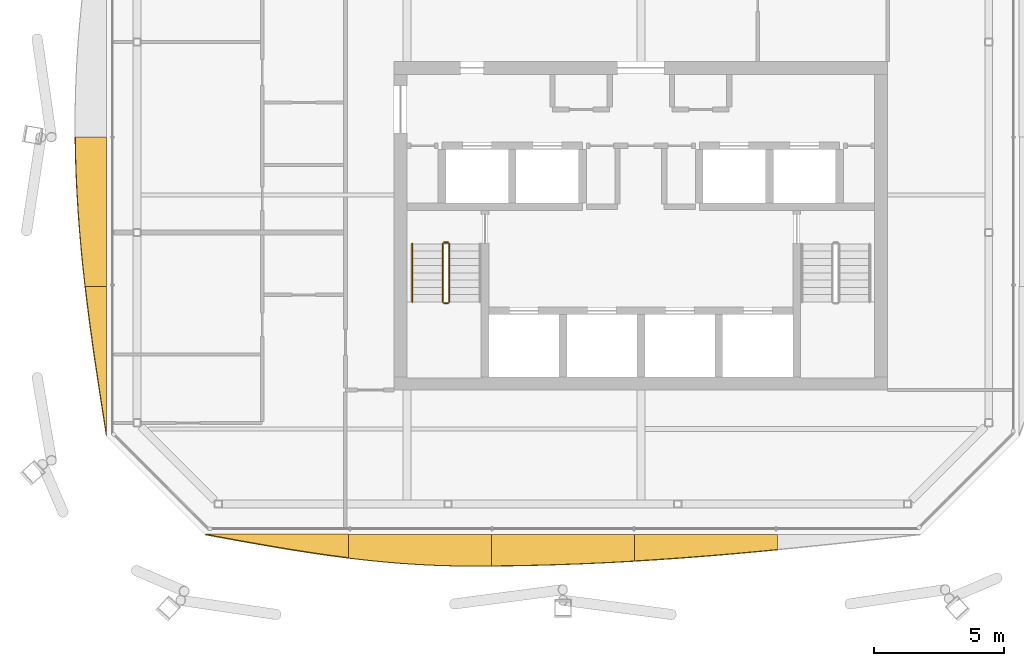
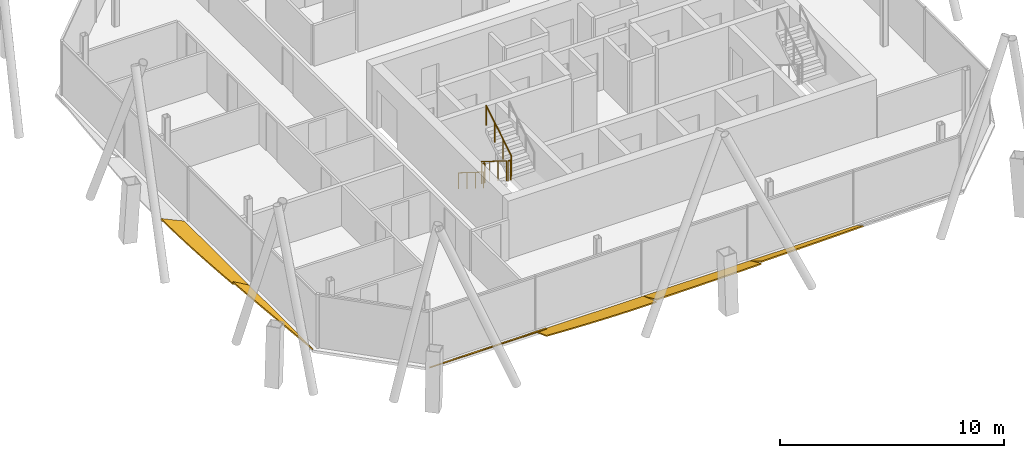
# One storey, part 13 of 16: 6 shading devices, 5 railings.
"""IFC4 building model written with IfcOpenShell, lengths in metres."""

from ifc_helpers import new_model, si_unit, direction, frame, origin, origin_2d, place, context, subcontext, project, spatial, polyline, circle, outline, extrude, material, layer, layer_set, type_object, element, save


model = new_model("IFC4")

# Units and contexts
model_context = context("Model", 3, precision=1e-05, world=origin(), true_north=direction((0.0, 1.0)))
body_context = subcontext(model_context, "Body", "Model", "MODEL_VIEW")
ifc_project = project(units=[si_unit("LENGTHUNIT", "METRE"), si_unit("AREAUNIT", "SQUARE_METRE"), si_unit("VOLUMEUNIT", "CUBIC_METRE"), si_unit("PLANEANGLEUNIT", "RADIAN"), si_unit("MASSUNIT", "GRAM", prefix="KILO")], contexts=[model_context])

# Site, building, storey
site_placement = place(None, origin())
site = spatial("IfcSite", under=ifc_project, at=site_placement, CompositionType="ELEMENT")
building_placement = place(site_placement, origin())
building = spatial("IfcBuilding", under=site, at=building_placement, Name="Tskaro Facet Tower", CompositionType="ELEMENT")
storey_placement = place(building_placement, frame((0.0, 0.0, 245.550048828125)))
storey = spatial("IfcBuildingStorey", under=building, at=storey_placement, Name="L64", CompositionType="ELEMENT", Elevation=245.550048828125)

# Shading devices
ifc_material_1 = material(Name="Bronze anodised aluminium 6063-T6", Category="aluminium")
ifc_layer = layer(ifc_material_1, 0.06005859375, Name="Bronze anodised aluminium 6063-T6")
ifc_layer_set = layer_set([ifc_layer], Name="Bronze anodised aluminium 6063-T6")
shading_device_type = type_object("IfcShadingDeviceType", Name="Bronze sun blade (FN1)", PredefinedType="USERDEFINED", material=ifc_layer_set)
shading_device_1_placement = place(storey_placement, frame((-16.764892578125, -17.552490234375, 0.0458984375), z_axis=(-3.651578e-06, 0.642787732435, 0.766044340112), x_axis=(0.999999999993, 2.347189e-06, 2.79727e-06)))
element("IfcShadingDevice", 1, at=shading_device_1_placement, inside=storey, type_object=shading_device_type, Name="Fin blade south 1", ObjectType="FIN", PredefinedType="USERDEFINED", context=body_context, shape_type="SweptSolid", body=[
    extrude(outline(polyline([(0.0, 0.0), (5.5058593749632925, 1.1659110733934925e-21), (5.505859375016392, -1.1747514389908755), (4.817626953221488, -1.0581234940832223), (4.129394531458474, -0.9297108664875922), (3.441162109483957, -0.790732438176101), (2.7529296873841878, -0.6434389505490066), (2.064697265488818, -0.4888622630344508), (1.3764648437742175, -0.3289091638899776), (0.6882324215338306, -0.16532951077439065), (0.0, 0.0)])), origin(), (0.0, 0.0, -1.0), 0.06005859375),
])
shading_device_2_placement = place(storey_placement, frame((-11.259033203125, -17.570556640625, 0.056396484375), z_axis=(6.341691e-06, 0.342025564427, 0.939690647627), x_axis=(0.99999999998, -2.169021e-06, -5.959228e-06)))
element("IfcShadingDevice", 2, at=shading_device_2_placement, inside=storey, type_object=shading_device_type, Name="Fin blade south 2", ObjectType="FIN", PredefinedType="USERDEFINED", context=body_context, shape_type="SweptSolid", body=[
    extrude(outline(polyline([(0.0, 0.0), (5.506103515514281, 0.0), (5.5061035155800875, -1.2834555088438027), (4.817871093194829, -1.2860836848043), (4.790283202570383, -1.2860836848043), (4.129638671189024, -1.2795967472381236), (3.4411621090605315, -1.259051263221368), (2.752929688059342, -1.2244472327540337), (2.064697266239318, -1.176639910492323), (1.3764648436004598, -1.1156292964362367), (0.6882324222609519, -1.0423330572338658), (-5.552364992012793e-10, -0.9576899498764805), (0.0, 0.0)])), origin(), (0.0, 0.0, -1.0), 0.06005859375),
])
shading_device_3_placement = place(storey_placement, frame((-5.7529296875, -17.565673828125, 0.054443359375), z_axis=(-3.820645e-06, 0.422540323583, 0.906344126109), x_axis=(0.999999999993, 1.614376e-06, 3.462819e-06)))
element("IfcShadingDevice", 3, at=shading_device_3_placement, inside=storey, type_object=shading_device_type, Name="Fin blade south 3", ObjectType="FIN", PredefinedType="USERDEFINED", context=body_context, shape_type="SweptSolid", body=[
    extrude(outline(polyline([(0.0, 0.0), (5.505859374959815, 1.1659110733934925e-21), (5.505859375075127, -1.1248972364940766), (4.817626953492532, -1.1674925382205397), (4.129394531452778, -1.2057221591348608), (3.4411621088987183, -1.239040389135522), (2.752929687915318, -1.2674322713184842), (2.0646972651780624, -1.2910308787505138), (1.3764648435601865, -1.3093787036847417), (0.6882324218221404, -1.3225938622838949), (-3.607605396023278e-11, -1.3306763545479734), (0.0, 0.0)])), origin(), (0.0, 0.0, -1.0), 0.06005859375),
])
shading_device_4_placement = place(storey_placement, frame((-0.2470703125, -17.56103515625, 0.052001953125), z_axis=(6.07884e-07, 0.499950569913, 0.866053940377), x_axis=(1.0, -3.03912e-07, -5.26461e-07)))
element("IfcShadingDevice", 4, at=shading_device_4_placement, inside=storey, type_object=shading_device_type, Name="Fin blade south 4", ObjectType="FIN", PredefinedType="USERDEFINED", context=body_context, shape_type="SweptSolid", body=[
    extrude(outline(polyline([(0.0, 0.0), (5.506103515623983, 0.0), (5.506103515558407, -0.6712662269701115), (4.8178710937747224, -0.7467288353167458), (4.129638671946052, -0.8191332657425715), (3.4414062499981957, -0.888268079297301), (2.7531738281338827, -0.9542226566866141), (2.0649414061848534, -1.0160291838647533), (1.3764648438030331, -1.0739884804876858), (0.6882324218329662, -1.1279217851440517), (-3.8953015131984984e-11, -1.177251484149741), (0.0, 0.0)])), origin(), (0.0, 0.0, -1.0), 0.06005859375),
])
shading_device_5_placement = place(storey_placement, frame((-20.565673828125, -2.271484375, 0.054443359375), z_axis=(0.42254672372, 5.47784e-07, 0.906341142326), x_axis=(2.31464e-07, -1.0, 4.9648e-07)))
element("IfcShadingDevice", 5, at=shading_device_5_placement, inside=storey, type_object=shading_device_type, Name="Fin blade west 3", ObjectType="FIN", PredefinedType="USERDEFINED", context=body_context, shape_type="SweptSolid", body=[
    extrude(outline(polyline([(0.0, 0.0), (5.7468261718741385, 0.0), (5.7468261718662115, -0.9083070755889664), (5.028320312428439, -0.9957986348022951), (4.3100585936623315, -1.0744407168299377), (3.591796874991207, -1.1434663367718212), (2.8732910156688543, -1.2027723338067244), (2.155029296928891, -1.2512672875204036), (1.436767578146318, -1.288951197912858), (0.7182617188091549, -1.3153815155981867), (-1.851073773410969e-11, -1.330130644240997), (0.0, 0.0)])), origin(), (0.0, 0.0, -1.0), 0.06005859375),
])
shading_device_6_placement = place(storey_placement, frame((-20.56103515625, -8.018310546875, 0.052001953125), z_axis=(0.49991498337, -2.3229446e-05, 0.866074482284), x_axis=(-1.1612748e-05, -0.99999999973, -2.0118431e-05)))
element("IfcShadingDevice", 6, at=shading_device_6_placement, inside=storey, type_object=shading_device_type, Name="Fin blade west 4", ObjectType="FIN", PredefinedType="USERDEFINED", context=body_context, shape_type="SweptSolid", body=[
    extrude(outline(polyline([(0.0, 0.0), (5.746582029699552, 9.735088629136583e-21), (5.02832031238393, -0.13048578759795765), (4.310058593551188, -0.2598817002210426), (3.5915527359709922, -0.3869758133378627), (2.873291014464366, -0.5108003015300647), (2.155029296712703, -0.6300211907097368), (1.436523435662223, -0.7436706554585261), (0.7182617167159583, -0.8510817087324763), (-3.0267077219577466e-09, -0.9506195380692787), (0.0, 0.0)])), origin(), (0.0, 0.0, -1.0), 0.06005859375),
])

# Railings
ifc_material_2 = material(Name="Stainless steel", Category="steel")
railing_type_1 = type_object("IfcRailingType", Name="RL-GUARD-1100", PredefinedType="GUARDRAIL", material=ifc_material_2)
railing_1_placement = place(storey_placement, frame((-7.625, -6.375, 0.175048828125)))
element("IfcRailing", 7, at=railing_1_placement, inside=storey, type_object=railing_type_1, Name="L64 ST-1 stair guard 1", PredefinedType="GUARDRAIL", context=body_context, shape_type="SweptSolid", body=[
    extrude(circle(Radius=0.02392578125, at=origin_2d()), frame((0.0, 0.0, 1.076171875), z_axis=(0.0, -0.848013881152, 0.529974015752), x_axis=(1.0, 0.0, 0.0)), (0.0, 0.0, 1.0), 2.641357421875),
    extrude(circle(Radius=0.02099609375, at=origin_2d()), origin(), (0.0, 0.0, 1.0), 1.052001953125),
    extrude(circle(Radius=0.02099609375, at=origin_2d()), frame((0.0, -0.74658203125, 0.466552734375)), (0.0, 0.0, 1.0), 1.052001953125),
    extrude(circle(Radius=0.02099609375, at=origin_2d()), frame((0.0, -1.493408203125, 0.933349609375)), (0.0, 0.0, 1.0), 1.052001953125),
    extrude(circle(Radius=0.02099609375, at=origin_2d()), frame((0.0, -2.239990234375, 1.39990234375)), (0.0, 0.0, 1.0), 1.052001953125),
])
railing_2_placement = place(storey_placement, frame((-7.574951171875, -8.6650390625, 1.574951171875)))
element("IfcRailing", 8, at=railing_2_placement, inside=storey, type_object=railing_type_1, Name="L64 ST-1 stair guard 2", PredefinedType="GUARDRAIL", context=body_context, shape_type="SweptSolid", body=[
    extrude(circle(Radius=0.02392578125, at=origin_2d()), frame((0.0, 0.0, 1.076171875), z_axis=(1.0, 0.0, 0.0), x_axis=(0.0, 1.0, 0.0)), (0.0, 0.0, 1.0), 0.14990234375),
    extrude(circle(Radius=0.02099609375, at=origin_2d()), origin(), (0.0, 0.0, 1.0), 1.052001953125),
    extrude(circle(Radius=0.02099609375, at=origin_2d()), frame((0.14990234375, 0.0, 0.0)), (0.0, 0.0, 1.0), 1.052001953125),
])
railing_3_placement = place(storey_placement, frame((-7.375, -8.614990234375, 1.75)))
element("IfcRailing", 9, at=railing_3_placement, inside=storey, type_object=railing_type_1, Name="L64 ST-1 stair guard 3", PredefinedType="GUARDRAIL", context=body_context, shape_type="SweptSolid", body=[
    extrude(circle(Radius=0.02392578125, at=origin_2d()), frame((0.0, 0.0, 1.076171875), z_axis=(0.0, 0.848013881152, 0.529974015752), x_axis=(-1.0, 0.0, 0.0)), (0.0, 0.0, 1.0), 2.641357421875),
    extrude(circle(Radius=0.02099609375, at=origin_2d()), origin(), (0.0, 0.0, 1.0), 1.052001953125),
    extrude(circle(Radius=0.02099609375, at=origin_2d()), frame((0.0, 0.74658203125, 0.466552734375)), (0.0, 0.0, 1.0), 1.052001953125),
    extrude(circle(Radius=0.02099609375, at=origin_2d()), frame((0.0, 1.493408203125, 0.933349609375)), (0.0, 0.0, 1.0), 1.052001953125),
    extrude(circle(Radius=0.02099609375, at=origin_2d()), frame((0.0, 2.239990234375, 1.39990234375)), (0.0, 0.0, 1.0), 1.052001953125),
])
railing_4_placement = place(storey_placement, frame((-7.574951171875, -6.324951171875, 0.0)))
element("IfcRailing", 10, at=railing_4_placement, inside=storey, type_object=railing_type_1, Name="L64 ST-1 stair guard 4", PredefinedType="GUARDRAIL", context=body_context, shape_type="SweptSolid", body=[
    extrude(circle(Radius=0.02392578125, at=origin_2d()), frame((0.0, 0.0, 1.076171875), z_axis=(1.0, 0.0, 0.0), x_axis=(0.0, 1.0, 0.0)), (0.0, 0.0, 1.0), 0.14990234375),
    extrude(circle(Radius=0.02099609375, at=origin_2d()), origin(), (0.0, 0.0, 1.0), 1.052001953125),
    extrude(circle(Radius=0.02099609375, at=origin_2d()), frame((0.14990234375, 0.0, 0.0)), (0.0, 0.0, 1.0), 1.052001953125),
])
railing_type_2 = type_object("IfcRailingType", Name="RL-HANDRAIL-900", PredefinedType="HANDRAIL", material=ifc_material_2)
railing_5_placement = place(storey_placement, frame((-8.800048828125, -6.375, 0.175048828125)))
element("IfcRailing", 11, at=railing_5_placement, inside=storey, type_object=railing_type_2, Name="L64 ST-1 stair handrail 1", PredefinedType="HANDRAIL", context=body_context, shape_type="SweptSolid", body=[
    extrude(circle(Radius=0.02392578125, at=origin_2d()), frame((0.0, 0.0, 0.8759765625), z_axis=(0.0, -0.848013881152, 0.529974015752), x_axis=(1.0, 0.0, 0.0)), (0.0, 0.0, 1.0), 2.641357421875),
    extrude(circle(Radius=0.02099609375, at=origin_2d()), origin(), (0.0, 0.0, 1.0), 0.851806640625),
    extrude(circle(Radius=0.02099609375, at=origin_2d()), frame((0.0, -0.74658203125, 0.466552734375)), (0.0, 0.0, 1.0), 0.851806640625),
    extrude(circle(Radius=0.02099609375, at=origin_2d()), frame((0.0, -1.493408203125, 0.933349609375)), (0.0, 0.0, 1.0), 0.851806640625),
    extrude(circle(Radius=0.02099609375, at=origin_2d()), frame((0.0, -2.239990234375, 1.39990234375)), (0.0, 0.0, 1.0), 0.851806640625),
])

save(model, "model.ifc")
